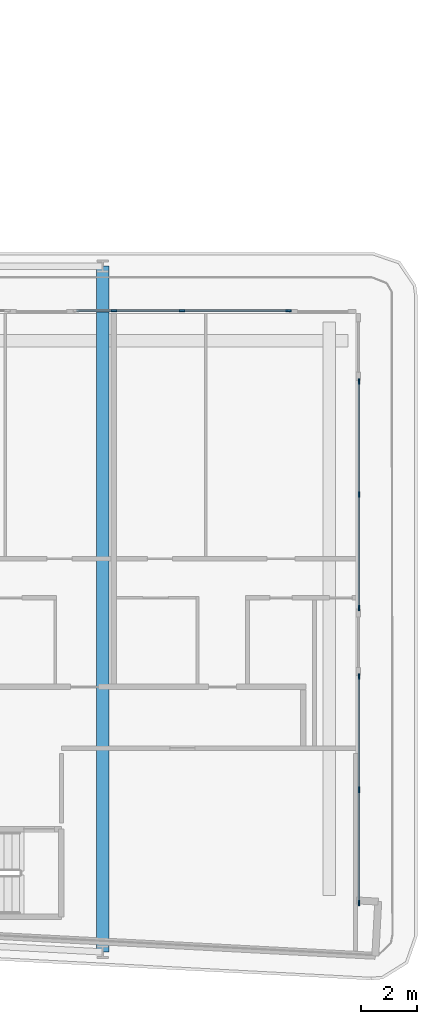
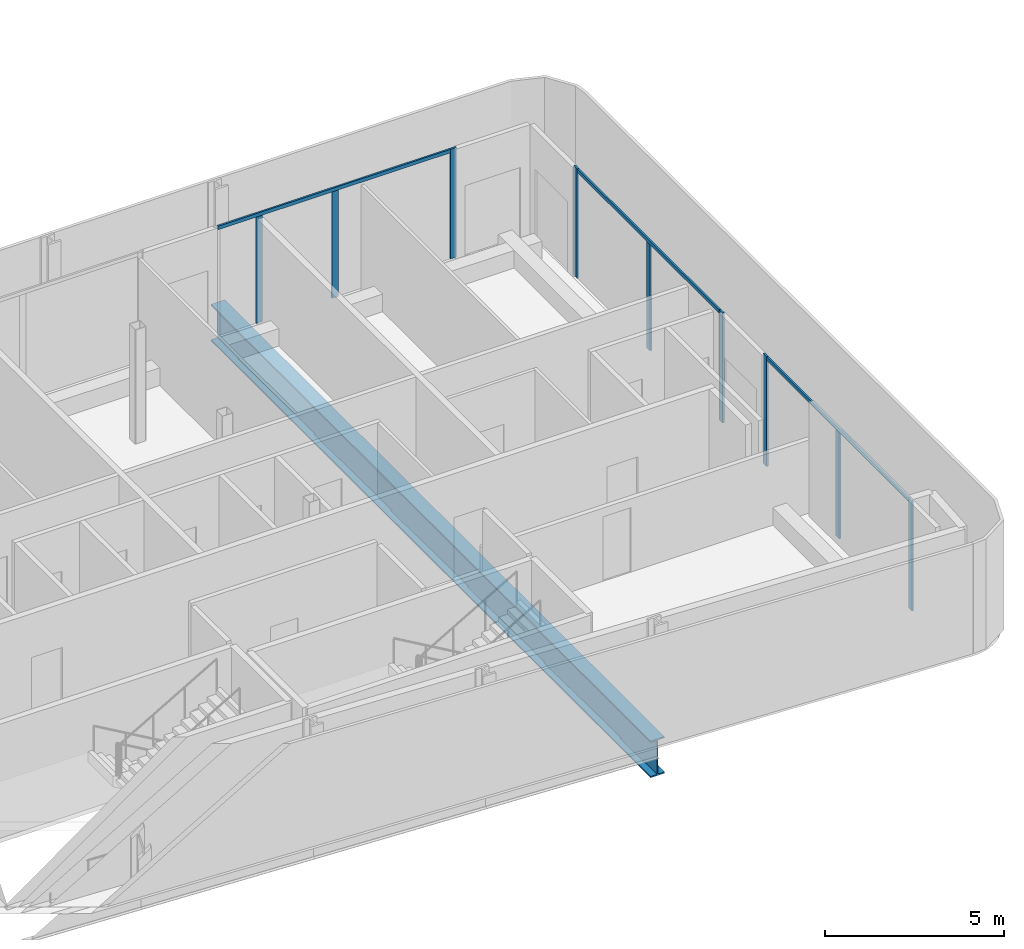
# One storey, part 8 of 28: 12 members, 1 beam, 3 elements without a shape of their own.
"""IFC4 building model written with IfcOpenShell, lengths in metres."""

from ifc_helpers import new_model, si_unit, direction, frame, origin, origin_2d, place, context, subcontext, project, spatial, rectangle, i_section, extrude, material, layer, layer_set, material_profile, profile_set, type_object, element, aggregate, save


model = new_model("IFC4")

# Units and contexts
model_context = context("Model", 3, precision=1e-05, world=origin(), true_north=direction((0.0, 1.0)))
body_context = subcontext(model_context, "Body", "Model", "MODEL_VIEW")
ifc_project = project(units=[si_unit("LENGTHUNIT", "METRE"), si_unit("AREAUNIT", "SQUARE_METRE"), si_unit("VOLUMEUNIT", "CUBIC_METRE"), si_unit("PLANEANGLEUNIT", "RADIAN"), si_unit("MASSUNIT", "GRAM", prefix="KILO")], contexts=[model_context])

# Site, building, storey
site_placement = place(None, origin())
site = spatial("IfcSite", under=ifc_project, at=site_placement, CompositionType="ELEMENT")
building_placement = place(site_placement, origin())
building = spatial("IfcBuilding", under=site, at=building_placement, Name="Kheshtan School and Residences Tower", CompositionType="ELEMENT")
storey_placement = place(building_placement, frame((0.0, 0.0, 125.300048828125)))
storey = spatial("IfcBuildingStorey", under=building, at=storey_placement, Name="L29", CompositionType="ELEMENT", Elevation=125.300048828125)

# Curtain wall, members
ifc_material_1 = material(Name="Clear low-e glass in thermally broken aluminium frame", Category="aluminium")
ifc_layer = layer(ifc_material_1, 0.199951171875)
ifc_layer_set = layer_set([ifc_layer], Name="Curtain wall CW-L")
curtain_wall_type = type_object("IfcCurtainWallType", Name="Curtain wall CW-L", PredefinedType="NOTDEFINED", material=ifc_layer_set)
curtain_wall_1_placement = place(storey_placement, origin())
curtain_wall_1 = element("IfcCurtainWall", 1, at=curtain_wall_1_placement, inside=storey, type_object=curtain_wall_type, Name="Curtain wall CWL12k", PredefinedType="NOTDEFINED")
ifc_material_2 = material(Name="Thermally broken aluminium, dark bronze anodised", Category="aluminium")
ifc_material_profile_1 = material_profile(ifc_material_2, rectangle(XDim=0.06005859375, YDim=0.199951171875, at=origin_2d()), Name="CW-L mullion 60x200")
ifc_profile_set_1 = profile_set([ifc_material_profile_1], Name="Thermally broken aluminium, dark bronze anodised")
member_type_1 = type_object("IfcMemberType", Name="CW-L mullion 60x200", PredefinedType="MULLION", material=ifc_profile_set_1)
member_1_placement = place(storey_placement, frame((91.199951171875, 44.0, 0.0), z_axis=(0.0, 0.0, 1.0), x_axis=(0.0, 1.0, 0.0)))
member_1 = element("IfcMember", 2, at=member_1_placement, type_object=member_type_1, Name="CWL12k mullion 2", PredefinedType="MULLION", context=body_context, shape_type="SweptSolid", body=[
    extrude(rectangle(XDim=0.06005859375, YDim=0.199951171875, at=origin_2d()), origin(), (0.0, 0.0, 1.0), 3.6298828125),
])
member_2_placement = place(storey_placement, frame((93.653076171875, 44.0, 0.0), z_axis=(0.0, 0.0, 1.0), x_axis=(0.0, 1.0, 0.0)))
member_2 = element("IfcMember", 3, at=member_2_placement, type_object=member_type_1, Name="CWL12k mullion 3", PredefinedType="MULLION", context=body_context, shape_type="SweptSolid", body=[
    extrude(rectangle(XDim=0.06005859375, YDim=0.199951171875, at=origin_2d()), origin(), (0.0, 0.0, 1.0), 3.6298828125),
])
member_3_placement = place(storey_placement, frame((97.469970703125, 44.0, 0.0), z_axis=(0.0, 0.0, 1.0), x_axis=(0.0, 1.0, 0.0)))
member_3 = element("IfcMember", 4, at=member_3_placement, type_object=member_type_1, Name="CWL12k mullion 4", PredefinedType="MULLION", context=body_context, shape_type="SweptSolid", body=[
    extrude(rectangle(XDim=0.06005859375, YDim=0.199951171875, at=origin_2d()), origin(), (0.0, 0.0, 1.0), 3.75),
])

curtain_wall_2_placement = place(storey_placement, origin())
curtain_wall_2 = element("IfcCurtainWall", 5, at=curtain_wall_2_placement, inside=storey, type_object=curtain_wall_type, Name="Curtain wall CWL13b", PredefinedType="NOTDEFINED")
member_4_placement = place(storey_placement, frame((100.0, 41.469970703125, 0.0), z_axis=(0.0, 0.0, 1.0), x_axis=(1.0, 0.0, 0.0)))
member_4 = element("IfcMember", 6, at=member_4_placement, type_object=member_type_1, Name="CWL13b mullion 1", PredefinedType="MULLION", context=body_context, shape_type="SweptSolid", body=[
    extrude(rectangle(XDim=0.06005859375, YDim=0.199951171875, at=origin_2d()), origin(), (0.0, 0.0, 1.0), 3.75),
])
member_5_placement = place(storey_placement, frame((100.0, 37.403564453125, 0.0), z_axis=(0.0, 0.0, 1.0), x_axis=(1.0, 0.0, 0.0)))
member_5 = element("IfcMember", 7, at=member_5_placement, type_object=member_type_1, Name="CWL13b mullion 2", PredefinedType="MULLION", context=body_context, shape_type="SweptSolid", body=[
    extrude(rectangle(XDim=0.06005859375, YDim=0.199951171875, at=origin_2d()), origin(), (0.0, 0.0, 1.0), 3.6298828125),
])
member_6_placement = place(storey_placement, frame((100.0, 33.3369140625, 0.0), z_axis=(0.0, 0.0, 1.0), x_axis=(1.0, 0.0, 0.0)))
member_6 = element("IfcMember", 8, at=member_6_placement, type_object=member_type_1, Name="CWL13b mullion 3", PredefinedType="MULLION", context=body_context, shape_type="SweptSolid", body=[
    extrude(rectangle(XDim=0.06005859375, YDim=0.199951171875, at=origin_2d()), origin(), (0.0, 0.0, 1.0), 3.75),
])

curtain_wall_3_placement = place(storey_placement, origin())
curtain_wall_3 = element("IfcCurtainWall", 9, at=curtain_wall_3_placement, inside=storey, type_object=curtain_wall_type, Name="Curtain wall CWL13b", PredefinedType="NOTDEFINED")
member_7_placement = place(storey_placement, frame((100.0, 30.876953125, 0.0), z_axis=(0.0, 0.0, 1.0), x_axis=(1.0, 0.0, 0.0)))
member_7 = element("IfcMember", 10, at=member_7_placement, type_object=member_type_1, Name="CWL13b mullion 1", PredefinedType="MULLION", context=body_context, shape_type="SweptSolid", body=[
    extrude(rectangle(XDim=0.06005859375, YDim=0.199951171875, at=origin_2d()), origin(), (0.0, 0.0, 1.0), 3.75),
])
member_8_placement = place(storey_placement, frame((100.0, 26.810546875, 0.0), z_axis=(0.0, 0.0, 1.0), x_axis=(1.0, 0.0, 0.0)))
member_8 = element("IfcMember", 11, at=member_8_placement, type_object=member_type_1, Name="CWL13b mullion 2", PredefinedType="MULLION", context=body_context, shape_type="SweptSolid", body=[
    extrude(rectangle(XDim=0.06005859375, YDim=0.199951171875, at=origin_2d()), origin(), (0.0, 0.0, 1.0), 3.6298828125),
])
member_9_placement = place(storey_placement, frame((100.0, 22.743896484375, 0.0), z_axis=(0.0, 0.0, 1.0), x_axis=(1.0, 0.0, 0.0)))
member_9 = element("IfcMember", 12, at=member_9_placement, type_object=member_type_1, Name="CWL13b mullion 3", PredefinedType="MULLION", context=body_context, shape_type="SweptSolid", body=[
    extrude(rectangle(XDim=0.06005859375, YDim=0.199951171875, at=origin_2d()), origin(), (0.0, 0.0, 1.0), 3.75),
])

# Member
ifc_material_profile_2 = material_profile(ifc_material_2, rectangle(XDim=0.06005859375, YDim=0.1201171875, at=origin_2d()), Name="CW-L transom 60x120")
ifc_profile_set_2 = profile_set([ifc_material_profile_2], Name="Thermally broken aluminium, dark bronze anodised")
member_type_2 = type_object("IfcMemberType", Name="CW-L transom 60x120", PredefinedType="USERDEFINED", material=ifc_profile_set_2)
member_10_placement = place(storey_placement, frame((89.865966796875, 44.0, 3.68994140625), z_axis=(1.0, 0.0, 0.0), x_axis=(0.0, 1.0, 0.0)))
member_10 = element("IfcMember", 13, at=member_10_placement, type_object=member_type_2, Name="CWL12k transom 1", ObjectType="TRANSOM", PredefinedType="USERDEFINED", context=body_context, shape_type="SweptSolid", body=[
    extrude(rectangle(XDim=0.06005859375, YDim=0.1201171875, at=origin_2d()), origin(), (0.0, 0.0, 1.0), 7.573974609375),
])

aggregate(curtain_wall_1, [member_1, member_2, member_3, member_10])

member_11_placement = place(storey_placement, frame((100.0, 41.43994140625, 3.68994140625), z_axis=(0.0, -1.0, 0.0), x_axis=(1.0, 0.0, 0.0)))
member_11 = element("IfcMember", 14, at=member_11_placement, type_object=member_type_2, Name="CWL13b transom 1", ObjectType="TRANSOM", PredefinedType="USERDEFINED", context=body_context, shape_type="SweptSolid", body=[
    extrude(rectangle(XDim=0.06005859375, YDim=0.1201171875, at=origin_2d()), origin(), (0.0, 0.0, 1.0), 8.072998046875),
])

aggregate(curtain_wall_2, [member_4, member_5, member_6, member_11])

member_12_placement = place(storey_placement, frame((100.0, 30.846923828125, 3.68994140625), z_axis=(0.0, -1.0, 0.0), x_axis=(1.0, 0.0, 0.0)))
member_12 = element("IfcMember", 15, at=member_12_placement, type_object=member_type_2, Name="CWL13b transom 1", ObjectType="TRANSOM", PredefinedType="USERDEFINED", context=body_context, shape_type="SweptSolid", body=[
    extrude(rectangle(XDim=0.06005859375, YDim=0.1201171875, at=origin_2d()), origin(), (0.0, 0.0, 1.0), 8.072998046875),
])

aggregate(curtain_wall_3, [member_7, member_8, member_9, member_12])

# Beam
ifc_material_3 = material(Name="Steel ASTM A992 Grade 50", Category="steel")
ifc_material_profile_3 = material_profile(ifc_material_3, i_section(OverallWidth=0.449951171875, OverallDepth=1.25, WebThickness=0.02490234375, FlangeThickness=0.044921875, FilletRadius=0.03759765625, at=origin_2d()), Name="WWF1250x546")
ifc_profile_set_3 = profile_set([ifc_material_profile_3], Name="Steel ASTM A992 Grade 50")
beam_type = type_object("IfcBeamType", Name="Transfer girder TG4 WWF1250x546 ASTM A992 Grade 50", PredefinedType="BEAM", material=ifc_profile_set_3)
beam_placement = place(storey_placement, frame((90.800048828125, 45.60009765625, -0.775146484375), z_axis=(0.0, -1.0, 0.0), x_axis=(1.0, 0.0, 0.0)))
element("IfcBeam", 16, at=beam_placement, inside=storey, type_object=beam_type, Name="Transfer girder C068-C006", PredefinedType="BEAM", context=body_context, shape_type="SweptSolid", body=[
    extrude(i_section(OverallWidth=0.449951171875, OverallDepth=1.25, WebThickness=0.02490234375, FlangeThickness=0.044921875, FilletRadius=0.03759765625, at=origin_2d()), origin(), (0.0, 0.0, 1.0), 24.610107421875),
])

save(model, "model.ifc")
